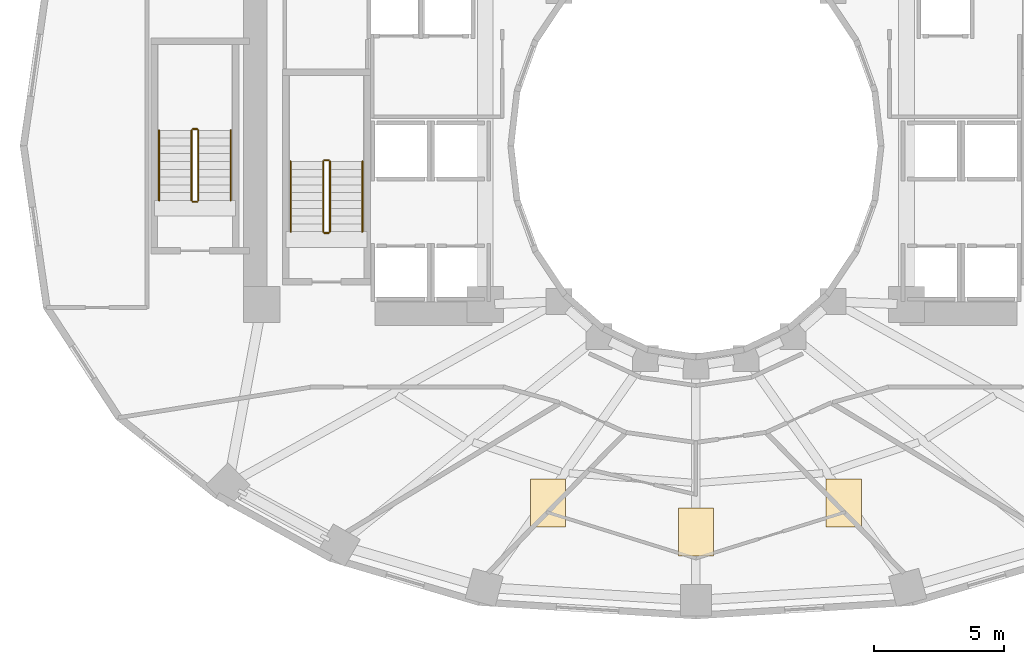
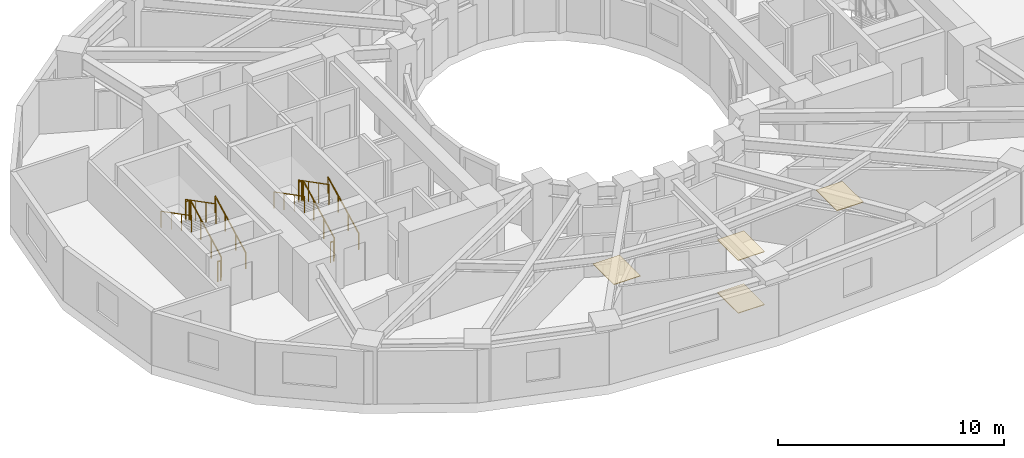
# One storey, part 12 of 15: 12 railings, 4 coverings.
"""IFC4 building model written with IfcOpenShell, lengths in metres."""

from ifc_helpers import new_model, si_unit, direction, frame, origin, origin_2d, place, context, subcontext, project, spatial, polyline, circle, outline, extrude, material, layer, layer_set, type_object, element, save


model = new_model("IFC4")

# Units and contexts
model_context = context("Model", 3, precision=1e-05, world=origin(), true_north=direction((0.0, 1.0)))
body_context = subcontext(model_context, "Body", "Model", "MODEL_VIEW")
ifc_project = project(units=[si_unit("LENGTHUNIT", "METRE"), si_unit("AREAUNIT", "SQUARE_METRE"), si_unit("VOLUMEUNIT", "CUBIC_METRE"), si_unit("PLANEANGLEUNIT", "RADIAN"), si_unit("MASSUNIT", "GRAM", prefix="KILO")], contexts=[model_context])

# Site, building, storey
site_placement = place(None, origin())
site = spatial("IfcSite", under=ifc_project, at=site_placement, CompositionType="ELEMENT")
building_placement = place(site_placement, origin())
building = spatial("IfcBuilding", under=site, at=building_placement, Name="Solvane Sanctuary Tower", CompositionType="ELEMENT")
storey_placement = place(building_placement, frame((0.0, 0.0, 46.199951171875)))
storey = spatial("IfcBuildingStorey", under=building, at=storey_placement, Name="L13", CompositionType="ELEMENT", Elevation=46.199951171875)

# Coverings
ifc_material_1 = material(Name="Acoustic Gypsum Partition Board")
ifc_layer_1 = layer(ifc_material_1, 0.02490234375, Name="Acoustic Gypsum Partition Board")
ifc_layer_set_1 = layer_set([ifc_layer_1], Name="Acoustic Gypsum Partition Board")
covering_type_1 = type_object("IfcCoveringType", Name="Covering CLG-ACOUST", PredefinedType="CEILING", material=ifc_layer_set_1)
covering_1_placement = place(storey_placement, frame((0.0, 0.0, 2.85009765625)))
element("IfcCovering", 1, at=covering_1_placement, inside=storey, type_object=covering_type_1, Name="L13 Unit Acoustic Ceiling Panel 4", PredefinedType="CEILING", context=body_context, shape_type="SweptSolid", body=[
    extrude(outline(polyline([(25.637939453125, 8.345947265625), (26.988037109375, 8.345947265625), (26.988037109375, 10.196044921875), (25.637939453125, 10.196044921875), (25.637939453125, 8.345947265625)])), origin(), (0.0, 0.0, 1.0), 0.030029296875),
])
covering_2_placement = place(storey_placement, frame((0.0, 0.0, 2.85009765625)))
element("IfcCovering", 2, at=covering_2_placement, inside=storey, type_object=covering_type_1, Name="L13 Unit Acoustic Ceiling Panel 5", PredefinedType="CEILING", context=body_context, shape_type="SweptSolid", body=[
    extrude(outline(polyline([(31.324951171875, 7.215087890625), (32.675048828125, 7.215087890625), (32.675048828125, 9.06494140625), (31.324951171875, 9.06494140625), (31.324951171875, 7.215087890625)])), origin(), (0.0, 0.0, 1.0), 0.030029296875),
])
covering_3_placement = place(storey_placement, frame((0.0, 0.0, 2.85009765625)))
element("IfcCovering", 3, at=covering_3_placement, inside=storey, type_object=covering_type_1, Name="L13 Unit Acoustic Ceiling Panel 6", PredefinedType="CEILING", context=body_context, shape_type="SweptSolid", body=[
    extrude(outline(polyline([(37.011962890625, 8.345947265625), (38.362060546875, 8.345947265625), (38.362060546875, 10.196044921875), (37.011962890625, 10.196044921875), (37.011962890625, 8.345947265625)])), origin(), (0.0, 0.0, 1.0), 0.030029296875),
])
ifc_material_2 = material(Name="Ceramic Tile Finish")
ifc_layer_2 = layer(ifc_material_2, 0.030029296875, Name="Ceramic Tile Finish")
ifc_layer_set_2 = layer_set([ifc_layer_2], Name="Ceramic Tile Finish")
covering_type_2 = type_object("IfcCoveringType", Name="Covering FLR-TERRAZZO", PredefinedType="FLOORING", material=ifc_layer_set_2)
covering_4_placement = place(storey_placement, origin())
element("IfcCovering", 4, at=covering_4_placement, inside=storey, type_object=covering_type_2, Name="L13 Unit Terrazzo Inlay 5", PredefinedType="FLOORING", context=body_context, shape_type="SweptSolid", body=[
    extrude(outline(polyline([(31.324951171875, 7.215087890625), (32.675048828125, 7.215087890625), (32.675048828125, 9.06494140625), (31.324951171875, 9.06494140625), (31.324951171875, 7.215087890625)])), origin(), (0.0, 0.0, 1.0), 0.03515625),
])

# Railings
ifc_material_3 = material(Name="Architectural Stainless Steel 316", Category="steel")
railing_type_1 = type_object("IfcRailingType", Name="Railing GR-BALC-1150", PredefinedType="BALUSTRADE", material=ifc_material_3)
railing_1_placement = place(storey_placement, frame((17.919921875, 19.699951171875, 0.155029296875)))
element("IfcRailing", 5, at=railing_1_placement, inside=storey, type_object=railing_type_1, Name="L13 ST-1 stair guard 1", PredefinedType="BALUSTRADE", context=body_context, shape_type="SweptSolid", body=[
    extrude(circle(Radius=0.02392578125, at=origin_2d()), frame((0.0, 0.0, 1.076171875), z_axis=(0.0, 0.888419900624, 0.459031676658), x_axis=(-1.0, 0.0, 0.0)), (0.0, 0.0, 1.0), 3.0390625),
    extrude(circle(Radius=0.02099609375, at=origin_2d()), origin(), (0.0, 0.0, 1.0), 1.052001953125),
    extrude(circle(Radius=0.02099609375, at=origin_2d()), frame((0.0, 0.89990234375, 0.465087890625)), (0.0, 0.0, 1.0), 1.052001953125),
    extrude(circle(Radius=0.02099609375, at=origin_2d()), frame((0.0, 1.800048828125, 0.929931640625)), (0.0, 0.0, 1.0), 1.052001953125),
    extrude(circle(Radius=0.02099609375, at=origin_2d()), frame((0.0, 2.699951171875, 1.39501953125)), (0.0, 0.0, 1.0), 1.052001953125),
])
railing_2_placement = place(storey_placement, frame((17.8701171875, 22.449951171875, 1.550048828125)))
element("IfcRailing", 6, at=railing_2_placement, inside=storey, type_object=railing_type_1, Name="L13 ST-1 stair guard 2", PredefinedType="BALUSTRADE", context=body_context, shape_type="SweptSolid", body=[
    extrude(circle(Radius=0.02392578125, at=origin_2d()), frame((0.0, 0.0, 1.076171875), z_axis=(-1.0, 0.0, 0.0), x_axis=(0.0, -1.0, 0.0)), (0.0, 0.0, 1.0), 0.16015625),
    extrude(circle(Radius=0.02099609375, at=origin_2d()), origin(), (0.0, 0.0, 1.0), 1.052001953125),
    extrude(circle(Radius=0.02099609375, at=origin_2d()), frame((-0.16015625, 0.0, 0.0)), (0.0, 0.0, 1.0), 1.052001953125),
])
railing_3_placement = place(storey_placement, frame((17.659912109375, 22.39990234375, 1.705078125)))
element("IfcRailing", 7, at=railing_3_placement, inside=storey, type_object=railing_type_1, Name="L13 ST-1 stair guard 3", PredefinedType="BALUSTRADE", context=body_context, shape_type="SweptSolid", body=[
    extrude(circle(Radius=0.02392578125, at=origin_2d()), frame((0.0, 0.0, 1.076171875), z_axis=(0.0, -0.888419900624, 0.459031676658), x_axis=(1.0, 0.0, 0.0)), (0.0, 0.0, 1.0), 3.0390625),
    extrude(circle(Radius=0.02099609375, at=origin_2d()), origin(), (0.0, 0.0, 1.0), 1.052001953125),
    extrude(circle(Radius=0.02099609375, at=origin_2d()), frame((0.0, -0.89990234375, 0.465087890625)), (0.0, 0.0, 1.0), 1.052001953125),
    extrude(circle(Radius=0.02099609375, at=origin_2d()), frame((0.0, -1.800048828125, 0.929931640625)), (0.0, 0.0, 1.0), 1.052001953125),
    extrude(circle(Radius=0.02099609375, at=origin_2d()), frame((0.0, -2.699951171875, 1.39501953125)), (0.0, 0.0, 1.0), 1.052001953125),
])
railing_4_placement = place(storey_placement, frame((17.8701171875, 19.64990234375, 0.0)))
element("IfcRailing", 8, at=railing_4_placement, inside=storey, type_object=railing_type_1, Name="L13 ST-1 stair guard 4", PredefinedType="BALUSTRADE", context=body_context, shape_type="SweptSolid", body=[
    extrude(circle(Radius=0.02392578125, at=origin_2d()), frame((0.0, 0.0, 1.076171875), z_axis=(-1.0, 0.0, 0.0), x_axis=(0.0, -1.0, 0.0)), (0.0, 0.0, 1.0), 0.16015625),
    extrude(circle(Radius=0.02099609375, at=origin_2d()), origin(), (0.0, 0.0, 1.0), 1.052001953125),
    extrude(circle(Radius=0.02099609375, at=origin_2d()), frame((-0.16015625, 0.0, 0.0)), (0.0, 0.0, 1.0), 1.052001953125),
])
railing_5_placement = place(storey_placement, frame((12.860107421875, 20.89990234375, 0.155029296875)))
element("IfcRailing", 9, at=railing_5_placement, inside=storey, type_object=railing_type_1, Name="L13 ST-3 stair guard 1", PredefinedType="BALUSTRADE", context=body_context, shape_type="SweptSolid", body=[
    extrude(circle(Radius=0.02392578125, at=origin_2d()), frame((0.0, 0.0, 1.076171875), z_axis=(0.0, 0.888436826113, 0.458998917216), x_axis=(-1.0, 0.0, 0.0)), (0.0, 0.0, 1.0), 3.039306640625),
    extrude(circle(Radius=0.02099609375, at=origin_2d()), origin(), (0.0, 0.0, 1.0), 1.052001953125),
    extrude(circle(Radius=0.02099609375, at=origin_2d()), frame((0.0, 0.900146484375, 0.465087890625)), (0.0, 0.0, 1.0), 1.052001953125),
    extrude(circle(Radius=0.02099609375, at=origin_2d()), frame((0.0, 1.800048828125, 0.929931640625)), (0.0, 0.0, 1.0), 1.052001953125),
    extrude(circle(Radius=0.02099609375, at=origin_2d()), frame((0.0, 2.7001953125, 1.39501953125)), (0.0, 0.0, 1.0), 1.052001953125),
])
railing_6_placement = place(storey_placement, frame((12.81005859375, 23.64990234375, 1.550048828125)))
element("IfcRailing", 10, at=railing_6_placement, inside=storey, type_object=railing_type_1, Name="L13 ST-3 stair guard 2", PredefinedType="BALUSTRADE", context=body_context, shape_type="SweptSolid", body=[
    extrude(circle(Radius=0.02392578125, at=origin_2d()), frame((0.0, 0.0, 1.076171875), z_axis=(-1.0, 0.0, 0.0), x_axis=(0.0, -1.0, 0.0)), (0.0, 0.0, 1.0), 0.16015625),
    extrude(circle(Radius=0.02099609375, at=origin_2d()), origin(), (0.0, 0.0, 1.0), 1.052001953125),
    extrude(circle(Radius=0.02099609375, at=origin_2d()), frame((-0.16015625, 0.0, 0.0)), (0.0, 0.0, 1.0), 1.052001953125),
])
railing_7_placement = place(storey_placement, frame((12.60009765625, 23.60009765625, 1.705078125)))
element("IfcRailing", 11, at=railing_7_placement, inside=storey, type_object=railing_type_1, Name="L13 ST-3 stair guard 3", PredefinedType="BALUSTRADE", context=body_context, shape_type="SweptSolid", body=[
    extrude(circle(Radius=0.02392578125, at=origin_2d()), frame((0.0, 0.0, 1.076171875), z_axis=(0.0, -0.888436826113, 0.458998917216), x_axis=(1.0, 0.0, 0.0)), (0.0, 0.0, 1.0), 3.039306640625),
    extrude(circle(Radius=0.02099609375, at=origin_2d()), origin(), (0.0, 0.0, 1.0), 1.052001953125),
    extrude(circle(Radius=0.02099609375, at=origin_2d()), frame((0.0, -0.900146484375, 0.465087890625)), (0.0, 0.0, 1.0), 1.052001953125),
    extrude(circle(Radius=0.02099609375, at=origin_2d()), frame((0.0, -1.800048828125, 0.929931640625)), (0.0, 0.0, 1.0), 1.052001953125),
    extrude(circle(Radius=0.02099609375, at=origin_2d()), frame((0.0, -2.7001953125, 1.39501953125)), (0.0, 0.0, 1.0), 1.052001953125),
])
railing_8_placement = place(storey_placement, frame((12.81005859375, 20.85009765625, 0.0)))
element("IfcRailing", 12, at=railing_8_placement, inside=storey, type_object=railing_type_1, Name="L13 ST-3 stair guard 4", PredefinedType="BALUSTRADE", context=body_context, shape_type="SweptSolid", body=[
    extrude(circle(Radius=0.02392578125, at=origin_2d()), frame((0.0, 0.0, 1.076171875), z_axis=(-1.0, 0.0, 0.0), x_axis=(0.0, -1.0, 0.0)), (0.0, 0.0, 1.0), 0.16015625),
    extrude(circle(Radius=0.02099609375, at=origin_2d()), origin(), (0.0, 0.0, 1.0), 1.052001953125),
    extrude(circle(Radius=0.02099609375, at=origin_2d()), frame((-0.16015625, 0.0, 0.0)), (0.0, 0.0, 1.0), 1.052001953125),
])
railing_type_2 = type_object("IfcRailingType", Name="Railing HR-STAIR-920", PredefinedType="HANDRAIL", material=ifc_material_3)
railing_9_placement = place(storey_placement, frame((19.169921875, 19.699951171875, 0.155029296875)))
element("IfcRailing", 13, at=railing_9_placement, inside=storey, type_object=railing_type_2, Name="L13 ST-1 stair handrail 1", PredefinedType="HANDRAIL", context=body_context, shape_type="SweptSolid", body=[
    extrude(circle(Radius=0.02392578125, at=origin_2d()), frame((0.0, 0.0, 0.8759765625), z_axis=(0.0, 0.888419900624, 0.459031676658), x_axis=(-1.0, 0.0, 0.0)), (0.0, 0.0, 1.0), 3.0390625),
    extrude(circle(Radius=0.02099609375, at=origin_2d()), origin(), (0.0, 0.0, 1.0), 0.851806640625),
    extrude(circle(Radius=0.02099609375, at=origin_2d()), frame((0.0, 0.89990234375, 0.465087890625)), (0.0, 0.0, 1.0), 0.851806640625),
    extrude(circle(Radius=0.02099609375, at=origin_2d()), frame((0.0, 1.800048828125, 0.929931640625)), (0.0, 0.0, 1.0), 0.851806640625),
    extrude(circle(Radius=0.02099609375, at=origin_2d()), frame((0.0, 2.699951171875, 1.39501953125)), (0.0, 0.0, 1.0), 0.851806640625),
])
railing_10_placement = place(storey_placement, frame((16.409912109375, 22.39990234375, 1.705078125)))
element("IfcRailing", 14, at=railing_10_placement, inside=storey, type_object=railing_type_2, Name="L13 ST-1 stair handrail 2", PredefinedType="HANDRAIL", context=body_context, shape_type="SweptSolid", body=[
    extrude(circle(Radius=0.02392578125, at=origin_2d()), frame((0.0, 0.0, 0.8759765625), z_axis=(0.0, -0.888419900624, 0.459031676658), x_axis=(1.0, 0.0, 0.0)), (0.0, 0.0, 1.0), 3.0390625),
    extrude(circle(Radius=0.02099609375, at=origin_2d()), origin(), (0.0, 0.0, 1.0), 0.851806640625),
    extrude(circle(Radius=0.02099609375, at=origin_2d()), frame((0.0, -0.89990234375, 0.465087890625)), (0.0, 0.0, 1.0), 0.851806640625),
    extrude(circle(Radius=0.02099609375, at=origin_2d()), frame((0.0, -1.800048828125, 0.929931640625)), (0.0, 0.0, 1.0), 0.851806640625),
    extrude(circle(Radius=0.02099609375, at=origin_2d()), frame((0.0, -2.699951171875, 1.39501953125)), (0.0, 0.0, 1.0), 0.851806640625),
])
railing_11_placement = place(storey_placement, frame((14.110107421875, 20.89990234375, 0.155029296875)))
element("IfcRailing", 15, at=railing_11_placement, inside=storey, type_object=railing_type_2, Name="L13 ST-3 stair handrail 1", PredefinedType="HANDRAIL", context=body_context, shape_type="SweptSolid", body=[
    extrude(circle(Radius=0.02392578125, at=origin_2d()), frame((0.0, 0.0, 0.8759765625), z_axis=(0.0, 0.888436826113, 0.458998917216), x_axis=(-1.0, 0.0, 0.0)), (0.0, 0.0, 1.0), 3.039306640625),
    extrude(circle(Radius=0.02099609375, at=origin_2d()), origin(), (0.0, 0.0, 1.0), 0.851806640625),
    extrude(circle(Radius=0.02099609375, at=origin_2d()), frame((0.0, 0.900146484375, 0.465087890625)), (0.0, 0.0, 1.0), 0.851806640625),
    extrude(circle(Radius=0.02099609375, at=origin_2d()), frame((0.0, 1.800048828125, 0.929931640625)), (0.0, 0.0, 1.0), 0.851806640625),
    extrude(circle(Radius=0.02099609375, at=origin_2d()), frame((0.0, 2.7001953125, 1.39501953125)), (0.0, 0.0, 1.0), 0.851806640625),
])
railing_12_placement = place(storey_placement, frame((11.35009765625, 23.60009765625, 1.705078125)))
element("IfcRailing", 16, at=railing_12_placement, inside=storey, type_object=railing_type_2, Name="L13 ST-3 stair handrail 2", PredefinedType="HANDRAIL", context=body_context, shape_type="SweptSolid", body=[
    extrude(circle(Radius=0.02392578125, at=origin_2d()), frame((0.0, 0.0, 0.8759765625), z_axis=(0.0, -0.888436826113, 0.458998917216), x_axis=(1.0, 0.0, 0.0)), (0.0, 0.0, 1.0), 3.039306640625),
    extrude(circle(Radius=0.02099609375, at=origin_2d()), origin(), (0.0, 0.0, 1.0), 0.851806640625),
    extrude(circle(Radius=0.02099609375, at=origin_2d()), frame((0.0, -0.900146484375, 0.465087890625)), (0.0, 0.0, 1.0), 0.851806640625),
    extrude(circle(Radius=0.02099609375, at=origin_2d()), frame((0.0, -1.800048828125, 0.929931640625)), (0.0, 0.0, 1.0), 0.851806640625),
    extrude(circle(Radius=0.02099609375, at=origin_2d()), frame((0.0, -2.7001953125, 1.39501953125)), (0.0, 0.0, 1.0), 0.851806640625),
])

save(model, "model.ifc")
